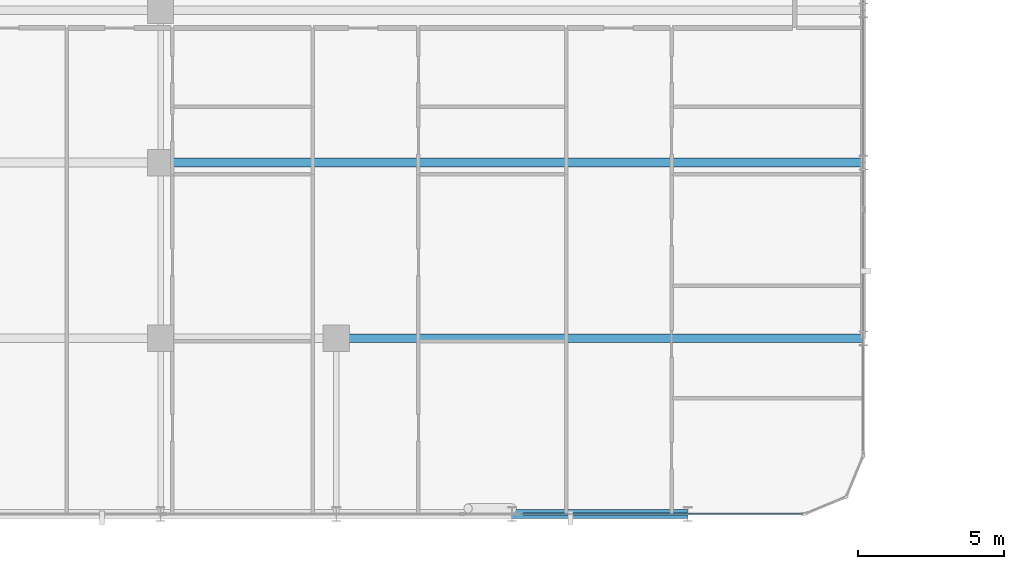
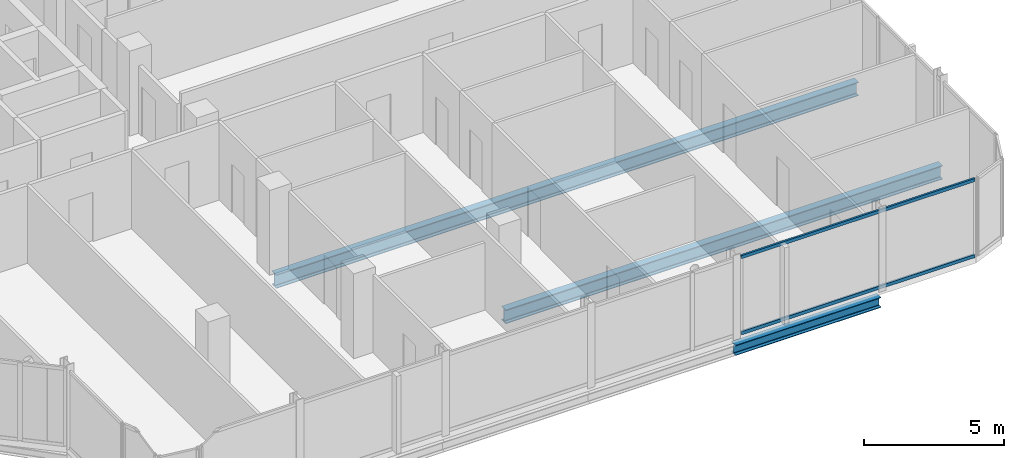
# One storey, part 10 of 31: 3 beams, 2 members, 1 element without a shape of its own.
"""IFC4 building model written with IfcOpenShell, lengths in metres."""

from ifc_helpers import new_model, si_unit, direction, frame, origin, origin_2d, place, context, subcontext, project, spatial, hollow_rectangle, i_section, extrude, material, layer, layer_set, material_profile, profile_set, type_object, element, aggregate, save


model = new_model("IFC4")

# Units and contexts
model_context = context("Model", 3, precision=1e-05, world=origin(), true_north=direction((0.0, 1.0)))
body_context = subcontext(model_context, "Body", "Model", "MODEL_VIEW")
ifc_project = project(units=[si_unit("LENGTHUNIT", "METRE"), si_unit("AREAUNIT", "SQUARE_METRE"), si_unit("VOLUMEUNIT", "CUBIC_METRE"), si_unit("PLANEANGLEUNIT", "RADIAN"), si_unit("MASSUNIT", "GRAM", prefix="KILO")], contexts=[model_context])

# Site, building, storey
site_placement = place(None, origin())
site = spatial("IfcSite", under=ifc_project, at=site_placement, CompositionType="ELEMENT")
building_placement = place(site_placement, origin())
building = spatial("IfcBuilding", under=site, at=building_placement, Name="Keshet Zoharim Tower", CompositionType="ELEMENT")
storey_placement = place(building_placement, frame((0.0, 0.0, 148.300048828125)))
storey = spatial("IfcBuildingStorey", under=building, at=storey_placement, Name="L36", CompositionType="ELEMENT", Elevation=148.300048828125)

# Beams
ifc_material_1 = material(Name="Steel S355", Category="steel")
ifc_material_profile_1 = material_profile(ifc_material_1, i_section(OverallWidth=0.300048828125, OverallDepth=0.60009765625, WebThickness=0.015380859375, FlangeThickness=0.030029296875, FilletRadius=0.027099609375, at=origin_2d()), Name="HEB600")
ifc_profile_set_1 = profile_set([ifc_material_profile_1], Name="Steel S355")
beam_type_1 = type_object("IfcBeamType", Name="BM-LNG-HB600", PredefinedType="BEAM", material=ifc_profile_set_1)
beam_1_placement = place(storey_placement, frame((39.0, 6.699951171875, -0.614990234375), z_axis=(1.0, 0.0, 0.0), x_axis=(0.0, 1.0, 0.0)))
element("IfcBeam", 1, at=beam_1_placement, inside=storey, type_object=beam_type_1, Name="L36 Primary Girder X-008", PredefinedType="BEAM", context=body_context, shape_type="SweptSolid", body=[
    extrude(i_section(OverallWidth=0.300048828125, OverallDepth=0.60009765625, WebThickness=0.015380859375, FlangeThickness=0.030029296875, FilletRadius=0.027099609375, at=origin_2d()), origin(), (0.0, 0.0, 1.0), 18.0),
])
beam_2_placement = place(storey_placement, frame((33.0, 12.699951171875, -0.614990234375), z_axis=(1.0, 0.0, 0.0), x_axis=(0.0, 1.0, 0.0)))
element("IfcBeam", 2, at=beam_2_placement, inside=storey, type_object=beam_type_1, Name="L36 Primary Girder X-010", PredefinedType="BEAM", context=body_context, shape_type="SweptSolid", body=[
    extrude(i_section(OverallWidth=0.300048828125, OverallDepth=0.60009765625, WebThickness=0.015380859375, FlangeThickness=0.030029296875, FilletRadius=0.027099609375, at=origin_2d()), origin(), (0.0, 0.0, 1.0), 24.0),
])
ifc_material_profile_2 = material_profile(ifc_material_1, i_section(OverallWidth=0.300048828125, OverallDepth=0.449951171875, WebThickness=0.013916015625, FlangeThickness=0.02587890625, FilletRadius=0.027099609375, at=origin_2d()), Name="HEB450")
ifc_profile_set_2 = profile_set([ifc_material_profile_2], Name="Steel S355")
beam_type_2 = type_object("IfcBeamType", Name="BM-WEB-HB450", PredefinedType="BEAM", material=ifc_profile_set_2)
beam_3_placement = place(storey_placement, frame((45.0, 0.699951171875, -0.5400390625), z_axis=(1.0, 0.0, 0.0), x_axis=(0.0, 1.0, 0.0)))
element("IfcBeam", 3, at=beam_3_placement, inside=storey, type_object=beam_type_2, Name="L36 Primary Girder X-004", PredefinedType="BEAM", context=body_context, shape_type="SweptSolid", body=[
    extrude(i_section(OverallWidth=0.300048828125, OverallDepth=0.449951171875, WebThickness=0.013916015625, FlangeThickness=0.02587890625, FilletRadius=0.027099609375, at=origin_2d()), origin(), (0.0, 0.0, 1.0), 6.0),
])

# Curtain wall, members
ifc_material_2 = material(Name="Aluminium 6063-T6", Category="aluminium")
ifc_layer = layer(ifc_material_2, 0.159912109375)
ifc_layer_set = layer_set([ifc_layer], Name="Aluminium 6063-T6")
curtain_wall_type = type_object("IfcCurtainWallType", Name="CW-SYS-03", PredefinedType="NOTDEFINED", material=ifc_layer_set)
curtain_wall_placement = place(storey_placement, origin())
curtain_wall = element("IfcCurtainWall", 4, at=curtain_wall_placement, inside=storey, type_object=curtain_wall_type, Name="L36 Unitised Curtain Wall 03", PredefinedType="NOTDEFINED")
ifc_material_profile_3 = material_profile(ifc_material_2, hollow_rectangle(XDim=0.080078125, YDim=0.139892578125, WallThickness=0.00390625, at=origin_2d()), Name="TRN-80x140")
ifc_profile_set_3 = profile_set([ifc_material_profile_3], Name="Aluminium 6063-T6")
member_type = type_object("IfcMemberType", Name="CWT-T14", PredefinedType="USERDEFINED", material=ifc_profile_set_3)
member_1_placement = place(storey_placement, frame((54.929931640625, 0.699951171875, 0.034912109375), z_axis=(-1.0, 0.0, 0.0), x_axis=(0.0, -1.0, 0.0)))
member_1 = element("IfcMember", 5, at=member_1_placement, type_object=member_type, Name="CW-03 transom 1.1", ObjectType="TRANSOM", PredefinedType="USERDEFINED", context=body_context, shape_type="SweptSolid", body=[
    extrude(hollow_rectangle(XDim=0.080078125, YDim=0.139892578125, WallThickness=0.00390625, at=origin_2d()), origin(), (0.0, 0.0, 1.0), 9.61181640625),
])
member_2_placement = place(storey_placement, frame((54.929931640625, 0.699951171875, 3.349853515625), z_axis=(-1.0, 0.0, 0.0), x_axis=(0.0, -1.0, 0.0)))
member_2 = element("IfcMember", 6, at=member_2_placement, type_object=member_type, Name="CW-03 transom 1.2", ObjectType="TRANSOM", PredefinedType="USERDEFINED", context=body_context, shape_type="SweptSolid", body=[
    extrude(hollow_rectangle(XDim=0.080078125, YDim=0.139892578125, WallThickness=0.00390625, at=origin_2d()), origin(), (0.0, 0.0, 1.0), 9.61181640625),
])
aggregate(curtain_wall, [member_1, member_2])

save(model, "model.ifc")
